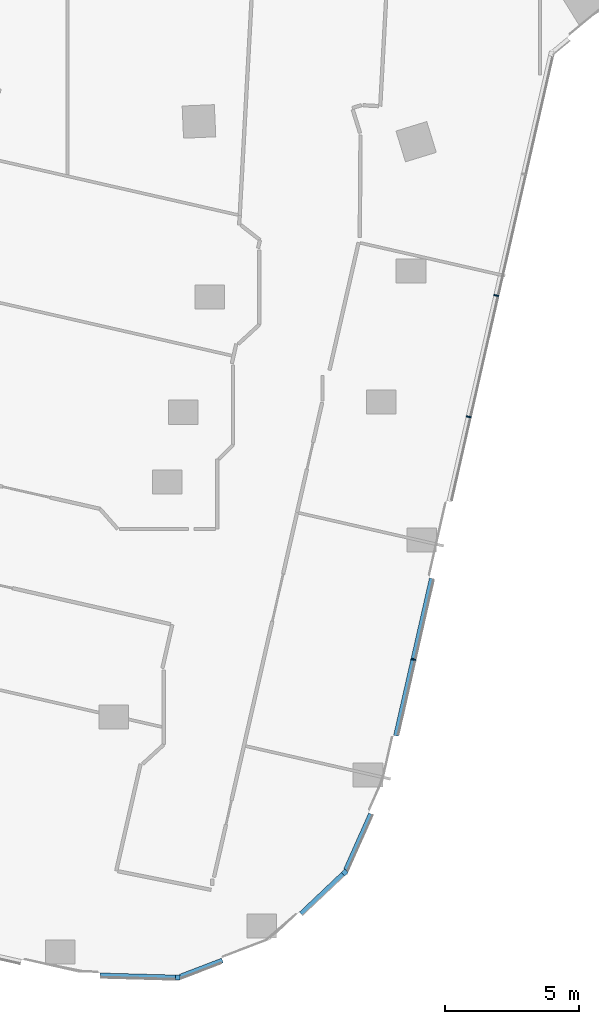
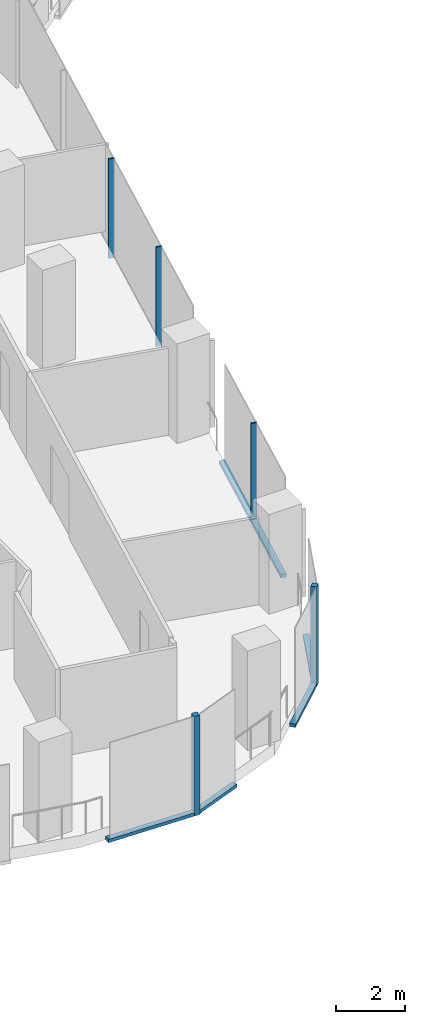
# One storey, part 4 of 28: 10 members, 5 elements without a shape of their own.
"""IFC4 building model written with IfcOpenShell, lengths in metres."""

from ifc_helpers import new_model, si_unit, direction, frame, origin, origin_2d, place, context, subcontext, project, spatial, rectangle, extrude, material, material_profile, profile_set, type_object, element, aggregate, save


model = new_model("IFC4")

# Units and contexts
model_context = context("Model", 3, precision=1e-05, world=origin(), true_north=direction((0.0, 1.0)))
body_context = subcontext(model_context, "Body", "Model", "MODEL_VIEW")
ifc_project = project(units=[si_unit("LENGTHUNIT", "METRE"), si_unit("AREAUNIT", "SQUARE_METRE"), si_unit("VOLUMEUNIT", "CUBIC_METRE"), si_unit("PLANEANGLEUNIT", "RADIAN"), si_unit("MASSUNIT", "GRAM", prefix="KILO")], contexts=[model_context])

# Site, building, storey
site_placement = place(None, origin())
site = spatial("IfcSite", under=ifc_project, at=site_placement, CompositionType="ELEMENT")
building_placement = place(site_placement, origin())
building = spatial("IfcBuilding", under=site, at=building_placement, Name="Orlundy Tower", CompositionType="ELEMENT")
storey_placement = place(building_placement, frame((0.0, 0.0, 167.10009765625)))
storey = spatial("IfcBuildingStorey", under=building, at=storey_placement, Name="L43", CompositionType="ELEMENT", Elevation=167.10009765625)

# Curtain wall, member
ifc_material_1 = material(Name="Aluminium bronze anodised", Category="aluminium")
curtain_wall_type = type_object("IfcCurtainWallType", Name="CW1 wall", PredefinedType="NOTDEFINED", material=ifc_material_1)
curtain_wall_1_placement = place(storey_placement, origin())
curtain_wall_1 = element("IfcCurtainWall", 1, at=curtain_wall_1_placement, inside=storey, type_object=curtain_wall_type, Name="CW1 run 020", PredefinedType="NOTDEFINED")
ifc_material_2 = material(Name="Aluminium bronze anodised", Category="aluminium")
ifc_material_profile_1 = material_profile(ifc_material_2, rectangle(XDim=0.179931640625, YDim=0.179931640625, at=origin_2d()), Name="CW1 corner post 180x180")
ifc_profile_set_1 = profile_set([ifc_material_profile_1], Name="Aluminium bronze anodised")
member_type_1 = type_object("IfcMemberType", Name="CW1 corner post 180x180", PredefinedType="MULLION", material=ifc_profile_set_1)
member_1_placement = place(storey_placement, frame((6.73486328125, -57.60498046875, -0.420166015625), z_axis=(0.0, 0.0, 1.0), x_axis=(0.687280644864, -0.726391984534, 0.0)))
member_1 = element("IfcMember", 2, at=member_1_placement, type_object=member_type_1, Name="CW1 mullion 50", PredefinedType="MULLION", context=body_context, shape_type="SweptSolid", body=[
    extrude(rectangle(XDim=0.179931640625, YDim=0.179931640625, at=origin_2d()), origin(), (0.0, 0.0, 1.0), 3.5),
])

curtain_wall_2_placement = place(storey_placement, origin())
curtain_wall_2 = element("IfcCurtainWall", 3, at=curtain_wall_2_placement, inside=storey, type_object=curtain_wall_type, Name="CW1 run 022", PredefinedType="NOTDEFINED")
member_2_placement = place(storey_placement, frame((0.5205078125, -61.513427734375, -0.420166015625), z_axis=(0.0, 0.0, 1.0), x_axis=(-0.02751993738, -0.999621254799, 0.0)))
member_2 = element("IfcMember", 4, at=member_2_placement, type_object=member_type_1, Name="CW1 mullion 52", PredefinedType="MULLION", context=body_context, shape_type="SweptSolid", body=[
    extrude(rectangle(XDim=0.179931640625, YDim=0.179931640625, at=origin_2d()), origin(), (0.0, 0.0, 1.0), 3.5),
])

# Curtain wall, members
curtain_wall_3_placement = place(storey_placement, origin())
curtain_wall_3 = element("IfcCurtainWall", 5, at=curtain_wall_3_placement, inside=storey, type_object=curtain_wall_type, Name="CW1 run 018", PredefinedType="NOTDEFINED")
ifc_material_3 = material(Name="Aluminium bronze anodised", Category="aluminium")
ifc_material_profile_2 = material_profile(ifc_material_3, rectangle(XDim=0.179931640625, YDim=0.050048828125, at=origin_2d()), Name="CW1 mullion 50x180")
ifc_profile_set_2 = profile_set([ifc_material_profile_2], Name="Aluminium bronze anodised")
member_type_2 = type_object("IfcMemberType", Name="CW1 mullion 50x180", PredefinedType="MULLION", material=ifc_profile_set_2)
member_3_placement = place(storey_placement, frame((12.374755859375, -36.1279296875, -0.420166015625), z_axis=(0.0, 0.0, 1.0), x_axis=(0.975022425628, -0.222106437373, 0.0)))
member_3 = element("IfcMember", 6, at=member_3_placement, type_object=member_type_2, Name="CW1 mullion 45", PredefinedType="MULLION", context=body_context, shape_type="SweptSolid", body=[
    extrude(rectangle(XDim=0.179931640625, YDim=0.050048828125, at=origin_2d()), origin(), (0.0, 0.0, 1.0), 3.5),
])
member_4_placement = place(storey_placement, frame((11.34619140625, -40.64306640625, -0.420166015625), z_axis=(0.0, 0.0, 1.0), x_axis=(0.975022425628, -0.222106437373, 0.0)))
member_4 = element("IfcMember", 7, at=member_4_placement, type_object=member_type_2, Name="CW1 mullion 46", PredefinedType="MULLION", context=body_context, shape_type="SweptSolid", body=[
    extrude(rectangle(XDim=0.179931640625, YDim=0.050048828125, at=origin_2d()), origin(), (0.0, 0.0, 1.0), 3.5),
])
member_5_placement = place(storey_placement, frame((9.289306640625, -49.673095703125, -0.420166015625), z_axis=(0.0, 0.0, 1.0), x_axis=(0.975022425628, -0.222106437373, 0.0)))
member_5 = element("IfcMember", 8, at=member_5_placement, type_object=member_type_2, Name="CW1 mullion 48", PredefinedType="MULLION", context=body_context, shape_type="SweptSolid", body=[
    extrude(rectangle(XDim=0.179931640625, YDim=0.050048828125, at=origin_2d()), origin(), (0.0, 0.0, 1.0), 3.5),
])
ifc_material_4 = material(Name="Aluminium bronze anodised", Category="aluminium")
ifc_material_profile_3 = material_profile(ifc_material_4, rectangle(XDim=0.179931640625, YDim=0.1201171875, at=origin_2d()), Name="CW1 transom 180x120")
ifc_profile_set_3 = profile_set([ifc_material_profile_3], Name="Aluminium bronze anodised")
member_type_3 = type_object("IfcMemberType", Name="CW1 transom 180x120", PredefinedType="USERDEFINED", material=ifc_profile_set_3)
member_6_placement = place(storey_placement, frame((9.974365234375, -46.66552734375, -0.360107421875), z_axis=(-0.222111900856, -0.975021181051, 0.0), x_axis=(0.975021181051, -0.222111900856, 0.0)))
member_6 = element("IfcMember", 9, at=member_6_placement, type_object=member_type_3, Name="CW1 transom", ObjectType="TRANSOM", PredefinedType="USERDEFINED", context=body_context, shape_type="SweptSolid", body=[
    extrude(rectangle(XDim=0.179931640625, YDim=0.1201171875, at=origin_2d()), origin(), (0.0, 0.0, 1.0), 5.998291015625),
])
aggregate(curtain_wall_3, [member_3, member_4, member_5, member_6])

# Curtain wall, member
curtain_wall_4_placement = place(storey_placement, origin())
curtain_wall_4 = element("IfcCurtainWall", 10, at=curtain_wall_4_placement, inside=storey, type_object=curtain_wall_type, Name="CW1 run 019", PredefinedType="NOTDEFINED")
member_7_placement = place(storey_placement, frame((7.709228515625, -55.426025390625, -0.360107421875), z_axis=(-0.408195364509, -0.912894596541, 0.0), x_axis=(0.912894596541, -0.408195364509, 0.0)))
member_7 = element("IfcMember", 11, at=member_7_placement, type_object=member_type_3, Name="CW1 transom", ObjectType="TRANSOM", PredefinedType="USERDEFINED", context=body_context, shape_type="SweptSolid", body=[
    extrude(rectangle(XDim=0.179931640625, YDim=0.1201171875, at=origin_2d()), origin(), (0.0, 0.0, 1.0), 2.28955078125),
])
aggregate(curtain_wall_4, [member_7])

# Member
member_8_placement = place(storey_placement, frame((6.66943359375, -57.6669921875, -0.360107421875), z_axis=(-0.726428453668, -0.687242098319, 0.0), x_axis=(0.687242098319, -0.726428453668, 0.0)))
member_8 = element("IfcMember", 12, at=member_8_placement, type_object=member_type_3, Name="CW1 transom", ObjectType="TRANSOM", PredefinedType="USERDEFINED", context=body_context, shape_type="SweptSolid", body=[
    extrude(rectangle(XDim=0.179931640625, YDim=0.1201171875, at=origin_2d()), origin(), (0.0, 0.0, 1.0), 2.143310546875),
])

aggregate(curtain_wall_1, [member_1, member_8])

# Curtain wall, member
curtain_wall_5_placement = place(storey_placement, origin())
curtain_wall_5 = element("IfcCurtainWall", 13, at=curtain_wall_5_placement, inside=storey, type_object=curtain_wall_type, Name="CW1 run 021", PredefinedType="NOTDEFINED")
member_9_placement = place(storey_placement, frame((2.183349609375, -60.8779296875, -0.360107421875), z_axis=(-0.934098796258, -0.357014619909, 0.0), x_axis=(0.357014619909, -0.934098796258, 0.0)))
member_9 = element("IfcMember", 14, at=member_9_placement, type_object=member_type_3, Name="CW1 transom", ObjectType="TRANSOM", PredefinedType="USERDEFINED", context=body_context, shape_type="SweptSolid", body=[
    extrude(rectangle(XDim=0.179931640625, YDim=0.1201171875, at=origin_2d()), origin(), (0.0, 0.0, 1.0), 1.682861328125),
])
aggregate(curtain_wall_5, [member_9])

# Member
member_10_placement = place(storey_placement, frame((0.430419921875, -61.510986328125, -0.360107421875), z_axis=(-0.999620823201, 0.027535610093, 0.0), x_axis=(-0.027535610093, -0.999620823201, 0.0)))
member_10 = element("IfcMember", 15, at=member_10_placement, type_object=member_type_3, Name="CW1 transom", ObjectType="TRANSOM", PredefinedType="USERDEFINED", context=body_context, shape_type="SweptSolid", body=[
    extrude(rectangle(XDim=0.179931640625, YDim=0.1201171875, at=origin_2d()), origin(), (0.0, 0.0, 1.0), 2.810546875),
])

aggregate(curtain_wall_2, [member_2, member_10])

save(model, "model.ifc")
